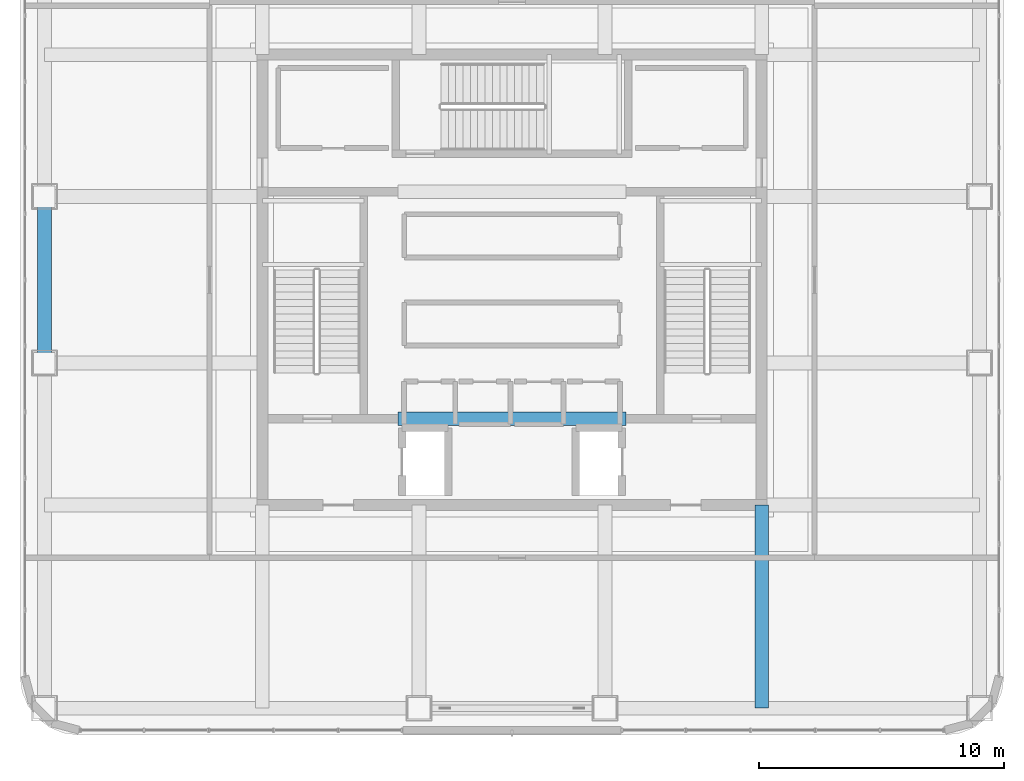
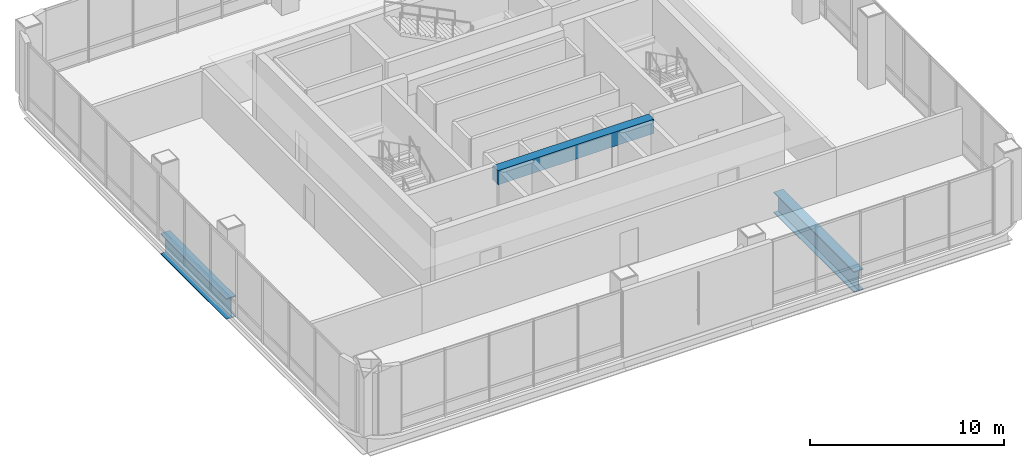
# One storey, part 8 of 33: 3 beams.
"""IFC4 building model written with IfcOpenShell, lengths in metres."""

from ifc_helpers import new_model, si_unit, direction, frame, origin, origin_2d, place, context, subcontext, project, spatial, rectangle, i_section, extrude, material, material_profile, profile_set, type_object, element, save


model = new_model("IFC4")

# Units and contexts
model_context = context("Model", 3, precision=1e-05, world=origin(), true_north=direction((0.0, 1.0)))
body_context = subcontext(model_context, "Body", "Model", "MODEL_VIEW")
ifc_project = project(units=[si_unit("LENGTHUNIT", "METRE"), si_unit("AREAUNIT", "SQUARE_METRE"), si_unit("VOLUMEUNIT", "CUBIC_METRE"), si_unit("PLANEANGLEUNIT", "RADIAN"), si_unit("MASSUNIT", "GRAM", prefix="KILO")], contexts=[model_context])

# Site, building, storey
site_placement = place(None, origin())
site = spatial("IfcSite", under=ifc_project, at=site_placement, CompositionType="ELEMENT")
building_placement = place(site_placement, origin())
building = spatial("IfcBuilding", under=site, at=building_placement, Name="Punatoya Terracotta Tower", CompositionType="ELEMENT")
storey_placement = place(building_placement, frame((0.0, 0.0, 348.300048828125)))
storey = spatial("IfcBuildingStorey", under=building, at=storey_placement, Name="L82", CompositionType="ELEMENT", Elevation=348.300048828125)

# Beams
ifc_material_1 = material(Name="Concrete C50/60", Category="concrete")
ifc_material_profile_1 = material_profile(ifc_material_1, rectangle(XDim=0.550048828125, YDim=0.89990234375, at=origin_2d()))
ifc_profile_set_1 = profile_set([ifc_material_profile_1], Name="Concrete C50/60")
beam_type_1 = type_object("IfcBeamType", Name="BM-RC-900", PredefinedType="LINTEL", material=ifc_profile_set_1)
beam_1_placement = place(storey_placement, frame((-4.64990234375, -5.679931640625, 3.800048828125), z_axis=(1.0, 0.0, 0.0), x_axis=(0.0, 1.0, 0.0)))
element("IfcBeam", 1, at=beam_1_placement, inside=storey, type_object=beam_type_1, Name="L82 Core Coupling Lintel CSW", PredefinedType="LINTEL", context=body_context, shape_type="SweptSolid", body=[
    extrude(rectangle(XDim=0.550048828125, YDim=0.89990234375, at=origin_2d()), origin(), (0.0, 0.0, 1.0), 9.2998046875),
])
ifc_material_2 = material(Name="Steel S460", Category="steel")
ifc_material_profile_2 = material_profile(ifc_material_2, i_section(OverallWidth=0.56005859375, OverallDepth=1.320068359375, WebThickness=0.035888671875, FlangeThickness=0.054931640625, FilletRadius=0.01806640625, at=origin_2d()))
ifc_profile_set_2 = profile_set([ifc_material_profile_2], Name="Steel S460")
beam_type_2 = type_object("IfcBeamType", Name="BM-TG-BLK", PredefinedType="BEAM", material=ifc_profile_set_2)
beam_2_placement = place(storey_placement, frame((-19.10009765625, -3.39990234375, -0.880126953125), z_axis=(0.0, 1.0, 0.0), x_axis=(-1.0, 0.0, 0.0)))
element("IfcBeam", 2, at=beam_2_placement, inside=storey, type_object=beam_type_2, Name="BM-L82-RG-W2", PredefinedType="BEAM", context=body_context, shape_type="SweptSolid", body=[
    extrude(i_section(OverallWidth=0.56005859375, OverallDepth=1.320068359375, WebThickness=0.035888671875, FlangeThickness=0.054931640625, FilletRadius=0.01806640625, at=origin_2d()), origin(), (0.0, 0.0, 1.0), 6.7998046875),
])
beam_3_placement = place(storey_placement, frame((10.199951171875, -17.5, -0.880126953125), z_axis=(0.0, 1.0, 0.0), x_axis=(-1.0, 0.0, 0.0)))
element("IfcBeam", 3, at=beam_3_placement, inside=storey, type_object=beam_type_2, Name="BM-L82-PR-S4", PredefinedType="BEAM", context=body_context, shape_type="SweptSolid", body=[
    extrude(i_section(OverallWidth=0.56005859375, OverallDepth=1.320068359375, WebThickness=0.035888671875, FlangeThickness=0.054931640625, FilletRadius=0.01806640625, at=origin_2d()), origin(), (0.0, 0.0, 1.0), 8.300048828125),
])

save(model, "model.ifc")
